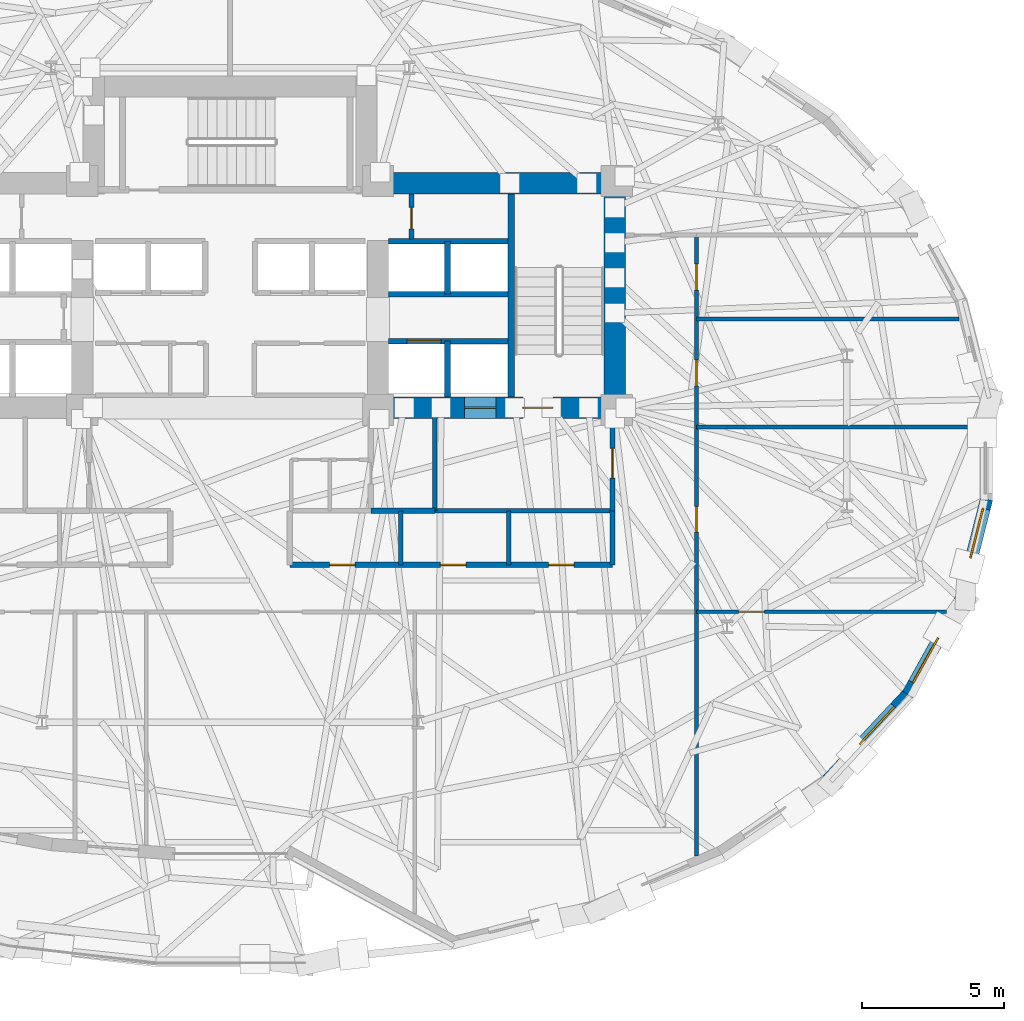
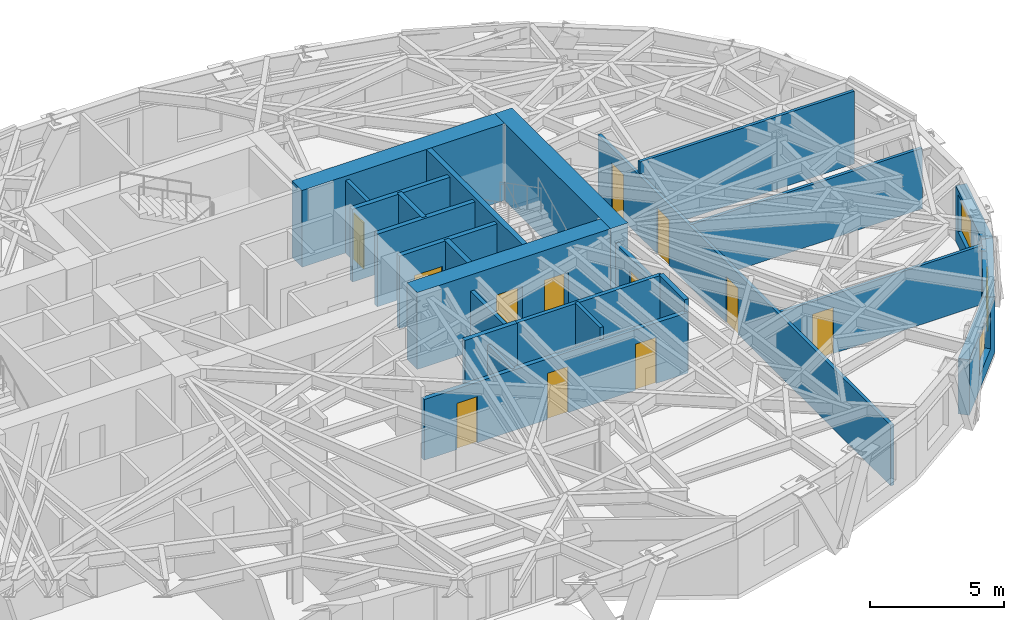
# One storey, part 10 of 15: 25 walls, 12 doors, 3 windows, 15 openings.
"""IFC4 building model written with IfcOpenShell, lengths in metres."""

from ifc_helpers import new_model, si_unit, direction, frame, frame_2d, origin, place, context, subcontext, project, spatial, rectangle, extrude, material, layer, layer_set, type_object, element, fill, save


model = new_model("IFC4")

# Units and contexts
model_context = context("Model", 3, precision=1e-05, world=origin(), true_north=direction((0.0, 1.0)))
body_context = subcontext(model_context, "Body", "Model", "MODEL_VIEW")
ifc_project = project(units=[si_unit("LENGTHUNIT", "METRE"), si_unit("AREAUNIT", "SQUARE_METRE"), si_unit("VOLUMEUNIT", "CUBIC_METRE"), si_unit("PLANEANGLEUNIT", "RADIAN"), si_unit("MASSUNIT", "GRAM", prefix="KILO")], contexts=[model_context])

# Site, building, storey
site_placement = place(None, origin())
site = spatial("IfcSite", under=ifc_project, at=site_placement, CompositionType="ELEMENT")
building_placement = place(site_placement, origin())
building = spatial("IfcBuilding", under=site, at=building_placement, Name="Keldmark Tower", CompositionType="ELEMENT")
storey_placement = place(building_placement, frame((0.0, 0.0, 114.10009765625)))
storey = spatial("IfcBuildingStorey", under=building, at=storey_placement, Name="L30", CompositionType="ELEMENT", Elevation=114.10009765625)

# Wall, openings, doors
ifc_material_1 = material(Name="Acoustic Double-Layer Gypsum Corridor Partition", Category="gypsum")
ifc_layer_1 = layer(ifc_material_1, 0.139892578125)
ifc_layer_set_1 = layer_set([ifc_layer_1], Name="Acoustic Double-Layer Gypsum Corridor Partition")
wall_type_1 = type_object("IfcWallType", Name="Acoustic Corridor Partition 140 mm", PredefinedType="PARTITIONING", material=ifc_layer_set_1)
wall_1_placement = place(storey_placement, frame((16.39990234375, -14.28369140625, 0.0), z_axis=(0.0, 0.0, 1.0), x_axis=(0.0, 1.0, 0.0)))
wall_1 = element("IfcWall", 1, at=wall_1_placement, inside=storey, type_object=wall_type_1, Name="L30 Acoustic Corridor Partition 140 mm COR-E", PredefinedType="PARTITIONING", context=body_context, shape_type="SweptSolid", body=[
    extrude(rectangle(XDim=21.833740234375, YDim=0.139892578125, at=frame_2d((10.9169921875, 0.0))), origin(), (0.0, 0.0, 1.0), 2.762939453125),
])
opening_1_placement = place(wall_1_placement, frame((11.38330078125, 0.0, 0.0)))
opening_1 = element("IfcOpeningElement", 2, at=opening_1_placement, cuts=wall_1, Name="Opening D-IN090", PredefinedType="OPENING", context=body_context, shape_type="SweptSolid", body=[
    extrude(rectangle(XDim=0.89990234375, YDim=2.10009765625, at=frame_2d((0.449951171875, 1.050048828125))), frame((0.0, 0.079833984375, 0.0), z_axis=(0.0, -1.0, 0.0), x_axis=(1.0, 0.0, 0.0)), (0.0, 0.0, 1.0), 0.159912109375),
])
opening_2_placement = place(wall_1_placement, frame((16.533447265625, 0.0, 0.0)))
opening_2 = element("IfcOpeningElement", 3, at=opening_2_placement, cuts=wall_1, Name="Opening D-IN090", PredefinedType="OPENING", context=body_context, shape_type="SweptSolid", body=[
    extrude(rectangle(XDim=0.89990234375, YDim=2.10009765625, at=frame_2d((0.449951171875, 1.050048828125))), frame((0.0, 0.079833984375, 0.0), z_axis=(0.0, -1.0, 0.0), x_axis=(1.0, 0.0, 0.0)), (0.0, 0.0, 1.0), 0.159912109375),
])
opening_3_placement = place(wall_1_placement, frame((19.908447265625, 0.0, 0.0)))
opening_3 = element("IfcOpeningElement", 4, at=opening_3_placement, cuts=wall_1, Name="Opening D-IN090", PredefinedType="OPENING", context=body_context, shape_type="SweptSolid", body=[
    extrude(rectangle(XDim=0.89990234375, YDim=2.10009765625, at=frame_2d((0.449951171875, 1.050048828125))), frame((0.0, 0.079833984375, 0.0), z_axis=(0.0, -1.0, 0.0), x_axis=(1.0, 0.0, 0.0)), (0.0, 0.0, 1.0), 0.159912109375),
])
ifc_material_2 = material(Name="Stained American White Oak Veneer", Category="wood")
door_type_1 = type_object("IfcDoorType", Name="Interior Door 900x2100", OperationType="NOTDEFINED", PredefinedType="DOOR", material=ifc_material_2)
door_1_placement = place(opening_1_placement, origin())
door_1 = element("IfcDoor", 5, at=door_1_placement, inside=storey, type_object=door_type_1, Name="L30 Interior Door 900x2100 D-ER-1-L30", OperationType="SINGLE_SWING_RIGHT", OverallHeight=2.10009765625, OverallWidth=0.89990234375, PredefinedType="DOOR", context=body_context, shape_type="SweptSolid", body=[
    extrude(rectangle(XDim=0.89990234375, YDim=2.10009765625, at=frame_2d((0.449951171875, 1.050048828125))), frame((0.0, 0.02490234375, 0.0), z_axis=(0.0, -1.0, 0.0), x_axis=(1.0, 0.0, 0.0)), (0.0, 0.0, 1.0), 0.050048828125),
])
fill(opening_1, door_1)
door_2_placement = place(opening_2_placement, origin())
door_2 = element("IfcDoor", 6, at=door_2_placement, inside=storey, type_object=door_type_1, Name="L30 Interior Door 900x2100 D-ER-2-L30", OperationType="SINGLE_SWING_LEFT", OverallHeight=2.10009765625, OverallWidth=0.89990234375, PredefinedType="DOOR", context=body_context, shape_type="SweptSolid", body=[
    extrude(rectangle(XDim=0.89990234375, YDim=2.10009765625, at=frame_2d((0.449951171875, 1.050048828125))), frame((0.0, 0.02490234375, 0.0), z_axis=(0.0, -1.0, 0.0), x_axis=(1.0, 0.0, 0.0)), (0.0, 0.0, 1.0), 0.050048828125),
])
fill(opening_2, door_2)
door_3_placement = place(opening_3_placement, origin())
door_3 = element("IfcDoor", 7, at=door_3_placement, inside=storey, type_object=door_type_1, Name="L30 Interior Door 900x2100 D-ER-3-L30", OperationType="SINGLE_SWING_RIGHT", OverallHeight=2.10009765625, OverallWidth=0.89990234375, PredefinedType="DOOR", context=body_context, shape_type="SweptSolid", body=[
    extrude(rectangle(XDim=0.89990234375, YDim=2.10009765625, at=frame_2d((0.449951171875, 1.050048828125))), frame((0.0, 0.02490234375, 0.0), z_axis=(0.0, -1.0, 0.0), x_axis=(1.0, 0.0, 0.0)), (0.0, 0.0, 1.0), 0.050048828125),
])
fill(opening_3, door_3)

ifc_material_3 = material(Name="Heavy Acoustic Plumbing Chase Gypsum Assembly", Category="gypsum")
ifc_layer_2 = layer(ifc_material_3, 0.18994140625)
ifc_layer_set_2 = layer_set([ifc_layer_2], Name="Heavy Acoustic Plumbing Chase Gypsum Assembly")
wall_type_2 = type_object("IfcWallType", Name="Heavy Wet Wall 190 mm", PredefinedType="PLUMBINGWALL", material=ifc_layer_set_2)
wall_2_placement = place(storey_placement, frame((2.10009765625, -4.050048828125, 0.0), z_axis=(0.0, 0.0, 1.0), x_axis=(1.0, 0.0, 0.0)))
wall_2 = element("IfcWall", 8, at=wall_2_placement, inside=storey, type_object=wall_type_2, Name="L30 Heavy Wet Wall 190 mm SPK-E-S", PredefinedType="PLUMBINGWALL", context=body_context, shape_type="SweptSolid", body=[
    extrude(rectangle(XDim=11.349853515625, YDim=0.18994140625, at=frame_2d((5.6748046875, 0.0))), origin(), (0.0, 0.0, 1.0), 2.762939453125),
])
opening_4_placement = place(wall_2_placement, frame((1.39990234375, 0.0, 0.0)))
opening_4 = element("IfcOpeningElement", 9, at=opening_4_placement, cuts=wall_2, Name="Opening D-IN090", PredefinedType="OPENING", context=body_context, shape_type="SweptSolid", body=[
    extrude(rectangle(XDim=0.89990234375, YDim=2.10009765625, at=frame_2d((0.449951171875, 1.050048828125))), frame((0.0, 0.10498046875, 0.0), z_axis=(0.0, -1.0, 0.0), x_axis=(1.0, 0.0, 0.0)), (0.0, 0.0, 1.0), 0.2099609375),
])
opening_5_placement = place(wall_2_placement, frame((5.300048828125, 0.0, 0.0)))
opening_5 = element("IfcOpeningElement", 10, at=opening_5_placement, cuts=wall_2, Name="Opening D-IN090", PredefinedType="OPENING", context=body_context, shape_type="SweptSolid", body=[
    extrude(rectangle(XDim=0.89990234375, YDim=2.10009765625, at=frame_2d((0.449951171875, 1.050048828125))), frame((0.0, 0.10498046875, 0.0), z_axis=(0.0, -1.0, 0.0), x_axis=(1.0, 0.0, 0.0)), (0.0, 0.0, 1.0), 0.2099609375),
])
opening_6_placement = place(wall_2_placement, frame((9.10009765625, 0.0, 0.0)))
opening_6 = element("IfcOpeningElement", 11, at=opening_6_placement, cuts=wall_2, Name="Opening D-IN090", PredefinedType="OPENING", context=body_context, shape_type="SweptSolid", body=[
    extrude(rectangle(XDim=0.89990234375, YDim=2.10009765625, at=frame_2d((0.449951171875, 1.050048828125))), frame((0.0, 0.10498046875, 0.0), z_axis=(0.0, -1.0, 0.0), x_axis=(1.0, 0.0, 0.0)), (0.0, 0.0, 1.0), 0.2099609375),
])
door_4_placement = place(opening_4_placement, origin())
door_4 = element("IfcDoor", 12, at=door_4_placement, inside=storey, type_object=door_type_1, Name="L30 Interior Door 900x2100 D-SPKE1-L30", OperationType="SINGLE_SWING_RIGHT", OverallHeight=2.10009765625, OverallWidth=0.89990234375, PredefinedType="DOOR", context=body_context, shape_type="SweptSolid", body=[
    extrude(rectangle(XDim=0.89990234375, YDim=2.10009765625, at=frame_2d((0.449951171875, 1.050048828125))), frame((0.0, 0.02490234375, 0.0), z_axis=(0.0, -1.0, 0.0), x_axis=(1.0, 0.0, 0.0)), (0.0, 0.0, 1.0), 0.050048828125),
])
fill(opening_4, door_4)
door_5_placement = place(opening_5_placement, origin())
door_5 = element("IfcDoor", 13, at=door_5_placement, inside=storey, type_object=door_type_1, Name="L30 Interior Door 900x2100 D-SPKE2-L30", OperationType="SINGLE_SWING_LEFT", OverallHeight=2.10009765625, OverallWidth=0.89990234375, PredefinedType="DOOR", context=body_context, shape_type="SweptSolid", body=[
    extrude(rectangle(XDim=0.89990234375, YDim=2.10009765625, at=frame_2d((0.449951171875, 1.050048828125))), frame((0.0, 0.02490234375, 0.0), z_axis=(0.0, -1.0, 0.0), x_axis=(1.0, 0.0, 0.0)), (0.0, 0.0, 1.0), 0.050048828125),
])
fill(opening_5, door_5)
door_6_placement = place(opening_6_placement, origin())
door_6 = element("IfcDoor", 14, at=door_6_placement, inside=storey, type_object=door_type_1, Name="L30 Interior Door 900x2100 D-SPKE3-L30", OperationType="SINGLE_SWING_RIGHT", OverallHeight=2.10009765625, OverallWidth=0.89990234375, PredefinedType="DOOR", context=body_context, shape_type="SweptSolid", body=[
    extrude(rectangle(XDim=0.89990234375, YDim=2.10009765625, at=frame_2d((0.449951171875, 1.050048828125))), frame((0.0, 0.02490234375, 0.0), z_axis=(0.0, -1.0, 0.0), x_axis=(1.0, 0.0, 0.0)), (0.0, 0.0, 1.0), 0.050048828125),
])
fill(opening_6, door_6)

# Wall
wall_3_placement = place(storey_placement, frame((13.449951171875, -4.050048828125, 0.0), z_axis=(0.0, 0.0, 1.0), x_axis=(0.0, 1.0, 0.0)))
element("IfcWall", 15, at=wall_3_placement, inside=storey, type_object=wall_type_2, Name="L30 Heavy Wet Wall 190 mm SPK-E-E", PredefinedType="PLUMBINGWALL", context=body_context, shape_type="SweptSolid", body=[
    extrude(rectangle(XDim=1.900146484375, YDim=0.18994140625, at=frame_2d((0.9501953125, 0.0))), origin(), (0.0, 0.0, 1.0), 3.309814453125),
])

# Wall, opening, door
ifc_material_4 = material(Name="Acoustic Gypsum Board Interior Partition", Category="gypsum")
ifc_layer_3 = layer(ifc_material_4, 0.1298828125)
ifc_layer_set_3 = layer_set([ifc_layer_3], Name="Acoustic Gypsum Board Interior Partition")
wall_type_3 = type_object("IfcWallType", Name="Interior Partition 130 mm", PredefinedType="PARTITIONING", material=ifc_layer_set_3)
wall_4_placement = place(storey_placement, frame((16.39990234375, -5.699951171875, 0.0), z_axis=(0.0, 0.0, 1.0), x_axis=(1.0, 0.0, 0.0)))
wall_4 = element("IfcWall", 16, at=wall_4_placement, inside=storey, type_object=wall_type_3, Name="L30 Interior Partition 130 mm E-CAP-S", PredefinedType="PARTITIONING", context=body_context, shape_type="SweptSolid", body=[
    extrude(rectangle(XDim=8.799072265625, YDim=0.1298828125, at=frame_2d((4.3994140625, 0.0))), origin(), (0.0, 0.0, 1.0), 2.68798828125),
])
opening_7_placement = place(wall_4_placement, frame((1.489990234375, 0.0, 0.0)))
opening_7 = element("IfcOpeningElement", 17, at=opening_7_placement, cuts=wall_4, Name="Opening D-IN090", PredefinedType="OPENING", context=body_context, shape_type="SweptSolid", body=[
    extrude(rectangle(XDim=0.89990234375, YDim=2.10009765625, at=frame_2d((0.449951171875, 1.050048828125))), frame((0.0, 0.074951171875, 0.0), z_axis=(0.0, -1.0, 0.0), x_axis=(1.0, 0.0, 0.0)), (0.0, 0.0, 1.0), 0.14990234375),
])
door_7_placement = place(opening_7_placement, origin())
door_7 = element("IfcDoor", 18, at=door_7_placement, inside=storey, type_object=door_type_1, Name="L30 Interior Door 900x2100 D-ERSE-L30", OperationType="SINGLE_SWING_RIGHT", OverallHeight=2.10009765625, OverallWidth=0.89990234375, PredefinedType="DOOR", context=body_context, shape_type="SweptSolid", body=[
    extrude(rectangle(XDim=0.89990234375, YDim=2.10009765625, at=frame_2d((0.449951171875, 1.050048828125))), frame((0.0, 0.02490234375, 0.0), z_axis=(0.0, -1.0, 0.0), x_axis=(1.0, 0.0, 0.0)), (0.0, 0.0, 1.0), 0.050048828125),
])
fill(opening_7, door_7)

# Walls
wall_5_placement = place(storey_placement, frame((16.39990234375, 0.800048828125, 0.0), z_axis=(0.0, 0.0, 1.0), x_axis=(1.0, 0.0, 0.0)))
element("IfcWall", 19, at=wall_5_placement, inside=storey, type_object=wall_type_3, Name="L30 Interior Partition 130 mm E-DIV-1", PredefinedType="PARTITIONING", context=body_context, shape_type="SweptSolid", body=[
    extrude(rectangle(XDim=9.972412109375, YDim=0.1298828125, at=frame_2d((4.986328125, 0.0))), origin(), (0.0, 0.0, 1.0), 2.762939453125),
])
wall_6_placement = place(storey_placement, frame((16.39990234375, 4.60009765625, 0.0), z_axis=(0.0, 0.0, 1.0), x_axis=(1.0, 0.0, 0.0)))
element("IfcWall", 20, at=wall_6_placement, inside=storey, type_object=wall_type_3, Name="L30 Interior Partition 130 mm E-DIV-2", PredefinedType="PARTITIONING", context=body_context, shape_type="SweptSolid", body=[
    extrude(rectangle(XDim=9.241455078125, YDim=0.1298828125, at=frame_2d((4.62060546875, 0.0))), origin(), (0.0, 0.0, 1.0), 3.309814453125),
])
ifc_material_5 = material(Name="Concrete C70/85", Category="concrete")
ifc_layer_4 = layer(ifc_material_5, 0.75)
ifc_layer_set_4 = layer_set([ifc_layer_4], Name="Concrete C70/85")
wall_type_4 = type_object("IfcWallType", Name="Low-Mid Core Shear Wall 750 mm", PredefinedType="SHEAR", material=ifc_layer_set_4)
wall_7_placement = place(storey_placement, frame((13.52490234375, 1.10009765625, 0.0), z_axis=(0.0, 0.0, 1.0), x_axis=(0.0, 1.0, 0.0)))
element("IfcWall", 21, at=wall_7_placement, inside=storey, type_object=wall_type_4, Name="L30 East Core Outer Shear Wall", PredefinedType="SHEAR", context=body_context, shape_type="SweptSolid", body=[
    extrude(rectangle(XDim=8.64990234375, YDim=0.75, at=frame_2d((4.324951171875, 0.0))), origin(), (0.0, 0.0, 1.0), 3.5),
])
wall_8_placement = place(storey_placement, frame((4.425048828125, 9.375, 0.0), z_axis=(0.0, 0.0, 1.0), x_axis=(1.0, 0.0, 0.0)))
element("IfcWall", 22, at=wall_8_placement, inside=storey, type_object=wall_type_4, Name="L30 East Core North Shear Wall", PredefinedType="SHEAR", context=body_context, shape_type="SweptSolid", body=[
    extrude(rectangle(XDim=9.474853515625, YDim=0.75, at=frame_2d((4.7373046875, 0.0))), origin(), (0.0, 0.0, 1.0), 3.5),
])

# Wall, openings, doors
wall_9_placement = place(storey_placement, frame((13.89990234375, 1.47509765625, 0.0), z_axis=(0.0, 0.0, 1.0), x_axis=(-1.0, 0.0, 0.0)))
wall_9 = element("IfcWall", 23, at=wall_9_placement, inside=storey, type_object=wall_type_4, Name="L30 East Core South Shear Wall", PredefinedType="SHEAR", context=body_context, shape_type="SweptSolid", body=[
    extrude(rectangle(XDim=9.074951171875, YDim=0.75, at=frame_2d((4.53759765625, 0.0))), origin(), (0.0, 0.0, 1.0), 3.5),
])
opening_8_placement = place(wall_9_placement, frame((2.550048828125, 0.0, 0.0)))
opening_8 = element("IfcOpeningElement", 24, at=opening_8_placement, cuts=wall_9, Name="Opening D-ST105", PredefinedType="OPENING", context=body_context, shape_type="SweptSolid", body=[
    extrude(rectangle(XDim=1.050048828125, YDim=2.14990234375, at=frame_2d((0.52490234375, 1.074951171875))), frame((0.0, 0.385009765625, 0.0), z_axis=(0.0, -1.0, 0.0), x_axis=(1.0, 0.0, 0.0)), (0.0, 0.0, 1.0), 0.77001953125),
])
opening_9_placement = place(wall_9_placement, frame((4.550048828125, 0.0, 0.0)))
opening_9 = element("IfcOpeningElement", 25, at=opening_9_placement, cuts=wall_9, Name="Opening LD-110", PredefinedType="OPENING", context=body_context, shape_type="SweptSolid", body=[
    extrude(rectangle(XDim=1.10009765625, YDim=2.199951171875, at=frame_2d((0.550048828125, 1.10009765625))), frame((0.0, 0.385009765625, 0.0), z_axis=(0.0, -1.0, 0.0), x_axis=(1.0, 0.0, 0.0)), (0.0, 0.0, 1.0), 0.77001953125),
])
ifc_material_6 = material(Name="Brushed Bronze Hoistway Sliding Leaf", Category="metal")
door_type_2 = type_object("IfcDoorType", Name="Lift Landing Sliding Door 1100x2200", OperationType="SLIDING_TO_LEFT", PredefinedType="DOOR", material=ifc_material_6)
door_8_placement = place(opening_9_placement, origin())
door_8 = element("IfcDoor", 26, at=door_8_placement, inside=storey, type_object=door_type_2, Name="L30 Lift Landing Sliding Door 1100x2200 LD-EL-FS2-L30", OperationType="SLIDING_TO_LEFT", OverallHeight=2.199951171875, OverallWidth=1.10009765625, PredefinedType="DOOR", context=body_context, shape_type="SweptSolid", body=[
    extrude(rectangle(XDim=1.10009765625, YDim=2.199951171875, at=frame_2d((0.550048828125, 1.10009765625))), frame((0.0, 0.02490234375, 0.0), z_axis=(0.0, -1.0, 0.0), x_axis=(1.0, 0.0, 0.0)), (0.0, 0.0, 1.0), 0.050048828125),
])
fill(opening_9, door_8)
ifc_material_7 = material(Name="Hollow Metal Fire-Rated Door Assembly", Category="metal")
door_type_3 = type_object("IfcDoorType", Name="Stair Fire Door 1050x2150", OperationType="NOTDEFINED", PredefinedType="DOOR", material=ifc_material_7)
door_9_placement = place(opening_8_placement, origin())
door_9 = element("IfcDoor", 27, at=door_9_placement, inside=storey, type_object=door_type_3, Name="L30 Stair Fire Door 1050x2150 D-ST2-L30", OperationType="SINGLE_SWING_LEFT", OverallHeight=2.14990234375, OverallWidth=1.050048828125, PredefinedType="DOOR", context=body_context, shape_type="SweptSolid", body=[
    extrude(rectangle(XDim=1.050048828125, YDim=2.14990234375, at=frame_2d((0.52490234375, 1.074951171875))), frame((0.0, 0.02490234375, 0.0), z_axis=(0.0, -1.0, 0.0), x_axis=(1.0, 0.0, 0.0)), (0.0, 0.0, 1.0), 0.050048828125),
])
fill(opening_8, door_9)

# Walls
ifc_material_8 = material(Name="Type X Fire-Rated Gypsum Partition Assembly", Category="gypsum")
ifc_layer_5 = layer(ifc_material_8, 0.1650390625)
ifc_layer_set_5 = layer_set([ifc_layer_5], Name="Type X Fire-Rated Gypsum Partition Assembly")
wall_type_5 = type_object("IfcWallType", Name="Rated Partition 165 mm", PredefinedType="PARTITIONING", material=ifc_layer_set_5)
wall_10_placement = place(storey_placement, frame((7.199951171875, -2.14990234375, 0.0), z_axis=(0.0, 0.0, 1.0), x_axis=(1.0, 0.0, 0.0)))
element("IfcWall", 28, at=wall_10_placement, inside=storey, type_object=wall_type_5, Name="L30 Rated Partition 165 mm FSAE-E-S", PredefinedType="PARTITIONING", context=body_context, shape_type="SweptSolid", body=[
    extrude(rectangle(XDim=6.25, YDim=0.1650390625, at=frame_2d((3.125, 0.0))), origin(), (0.0, 0.0, 1.0), 3.309814453125),
])
wall_11_placement = place(storey_placement, frame((7.199951171875, -2.14990234375, 0.0), z_axis=(0.0, 0.0, 1.0), x_axis=(0.0, 1.0, 0.0)))
element("IfcWall", 29, at=wall_11_placement, inside=storey, type_object=wall_type_5, Name="L30 Rated Partition 165 mm FSAE-E-W", PredefinedType="PARTITIONING", context=body_context, shape_type="SweptSolid", body=[
    extrude(rectangle(XDim=3.2998046875, YDim=0.1650390625, at=frame_2d((1.64990234375, 0.0))), origin(), (0.0, 0.0, 1.0), 2.762939453125),
])

# Wall, opening, door
wall_12_placement = place(storey_placement, frame((13.449951171875, -2.14990234375, 0.0), z_axis=(0.0, 0.0, 1.0), x_axis=(0.0, 1.0, 0.0)))
wall_12 = element("IfcWall", 30, at=wall_12_placement, inside=storey, type_object=wall_type_5, Name="L30 Rated Partition 165 mm FSAE-E-E", PredefinedType="PARTITIONING", context=body_context, shape_type="SweptSolid", body=[
    extrude(rectangle(XDim=3.2998046875, YDim=0.1650390625, at=frame_2d((1.64990234375, 0.0))), origin(), (0.0, 0.0, 1.0), 2.762939453125),
])
opening_10_placement = place(wall_12_placement, frame((1.14990234375, 0.0, 0.0)))
opening_10 = element("IfcOpeningElement", 31, at=opening_10_placement, cuts=wall_12, Name="Opening D-FL105", PredefinedType="OPENING", context=body_context, shape_type="SweptSolid", body=[
    extrude(rectangle(XDim=1.050048828125, YDim=2.14990234375, at=frame_2d((0.52490234375, 1.074951171875))), frame((0.0, 0.092529296875, 0.0), z_axis=(0.0, -1.0, 0.0), x_axis=(1.0, 0.0, 0.0)), (0.0, 0.0, 1.0), 0.18505859375),
])
ifc_material_9 = material(Name="Fire-Rated Mineral-Core Door and Vision Lite", Category="metal")
door_type_4 = type_object("IfcDoorType", Name="Fire Lobby Door 1050x2150", OperationType="NOTDEFINED", PredefinedType="DOOR", material=ifc_material_9)
door_10_placement = place(opening_10_placement, origin())
door_10 = element("IfcDoor", 32, at=door_10_placement, inside=storey, type_object=door_type_4, Name="L30 Fire Lobby Door 1050x2150 D-FSAEE-OUT-L30", OperationType="SINGLE_SWING_LEFT", OverallHeight=2.14990234375, OverallWidth=1.050048828125, PredefinedType="DOOR", context=body_context, shape_type="SweptSolid", body=[
    extrude(rectangle(XDim=1.050048828125, YDim=2.14990234375, at=frame_2d((0.52490234375, 1.074951171875))), frame((0.0, 0.02490234375, 0.0), z_axis=(0.0, -1.0, 0.0), x_axis=(1.0, 0.0, 0.0)), (0.0, 0.0, 1.0), 0.050048828125),
])
fill(opening_10, door_10)

wall_13_placement = place(storey_placement, frame((6.3798828125, 7.419921875, 0.0), z_axis=(0.0, 0.0, 1.0), x_axis=(0.0, 1.0, 0.0)))
wall_13 = element("IfcWall", 33, at=wall_13_placement, inside=storey, type_object=wall_type_5, Name="L30 Rated Partition 165 mm CS-NE-W", PredefinedType="PARTITIONING", context=body_context, shape_type="SweptSolid", body=[
    extrude(rectangle(XDim=1.580078125, YDim=0.1650390625, at=frame_2d((0.7900390625, 0.0))), origin(), (0.0, 0.0, 1.0), 3.309814453125),
])
opening_11_placement = place(wall_13_placement, frame((0.35009765625, 0.0, 0.0)))
opening_11 = element("IfcOpeningElement", 34, at=opening_11_placement, cuts=wall_13, Name="Opening D-RS075", PredefinedType="OPENING", context=body_context, shape_type="SweptSolid", body=[
    extrude(rectangle(XDim=0.75, YDim=2.10009765625, at=frame_2d((0.375, 1.050048828125))), frame((0.0, 0.092529296875, 0.0), z_axis=(0.0, -1.0, 0.0), x_axis=(1.0, 0.0, 0.0)), (0.0, 0.0, 1.0), 0.18505859375),
])
ifc_material_10 = material(Name="Galvanized Fire-Rated Access Leaf", Category="metal")
door_type_5 = type_object("IfcDoorType", Name="Riser Access Door 750x2100", OperationType="NOTDEFINED", PredefinedType="DOOR", material=ifc_material_10)
door_11_placement = place(opening_11_placement, origin())
door_11 = element("IfcDoor", 35, at=door_11_placement, inside=storey, type_object=door_type_5, Name="L30 Riser Access Door 750x2100 D-CSNE1-L30", OperationType="SINGLE_SWING_LEFT", OverallHeight=2.10009765625, OverallWidth=0.75, PredefinedType="DOOR", context=body_context, shape_type="SweptSolid", body=[
    extrude(rectangle(XDim=0.75, YDim=2.10009765625, at=frame_2d((0.375, 1.050048828125))), frame((0.0, 0.02490234375, 0.0), z_axis=(0.0, -1.0, 0.0), x_axis=(1.0, 0.0, 0.0)), (0.0, 0.0, 1.0), 0.050048828125),
])
fill(opening_11, door_11)

# Wall
ifc_material_11 = material(Name="Fire-Resistant Type X Gypsum Shaftliner Coreboard", Category="gypsum")
ifc_layer_6 = layer(ifc_material_11, 0.199951171875)
ifc_layer_set_6 = layer_set([ifc_layer_6], Name="Fire-Resistant Type X Gypsum Shaftliner Coreboard")
wall_type_6 = type_object("IfcWallType", Name="Shaft Wall 200 mm", PredefinedType="SOLIDWALL", material=ifc_layer_set_6)
wall_14_placement = place(storey_placement, frame((4.949951171875, -2.14990234375, 0.0), z_axis=(0.0, 0.0, 1.0), x_axis=(1.0, 0.0, 0.0)))
element("IfcWall", 36, at=wall_14_placement, inside=storey, type_object=wall_type_6, Name="L30 Shaft Wall 200 mm RIS-SE-S", PredefinedType="SOLIDWALL", context=body_context, shape_type="SweptSolid", body=[
    extrude(rectangle(XDim=2.25, YDim=0.199951171875, at=frame_2d((1.125, 0.0))), origin(), (0.0, 0.0, 1.0), 3.309814453125),
])

# Wall, opening, door
wall_15_placement = place(storey_placement, frame((5.574951171875, 3.820068359375, 0.0), z_axis=(0.0, 0.0, 1.0), x_axis=(1.0, 0.0, 0.0)))
wall_15 = element("IfcWall", 37, at=wall_15_placement, inside=storey, type_object=wall_type_6, Name="L30 Shaft Wall 200 mm HW-E-S", PredefinedType="SOLIDWALL", context=body_context, shape_type="SweptSolid", body=[
    extrude(rectangle(XDim=4.205078125, YDim=0.199951171875, at=frame_2d((2.1025390625, 0.0))), origin(), (0.0, 0.0, 1.0), 3.309814453125),
])
opening_12_placement = place(wall_15_placement, frame((0.64990234375, 0.0, 0.0)))
opening_12 = element("IfcOpeningElement", 38, at=opening_12_placement, cuts=wall_15, Name="Opening LD-120", PredefinedType="OPENING", context=body_context, shape_type="SweptSolid", body=[
    extrude(rectangle(XDim=1.199951171875, YDim=2.199951171875, at=frame_2d((0.60009765625, 1.10009765625))), frame((0.0, 0.10986328125, 0.0), z_axis=(0.0, -1.0, 0.0), x_axis=(1.0, 0.0, 0.0)), (0.0, 0.0, 1.0), 0.219970703125),
])
ifc_material_12 = material(Name="Heavy-Duty Brushed Metal Hoistway Sliding Leaf", Category="metal")
door_type_6 = type_object("IfcDoorType", Name="Service Lift Sliding Door 1200x2200", OperationType="SLIDING_TO_RIGHT", PredefinedType="DOOR", material=ifc_material_12)
door_12_placement = place(opening_12_placement, origin())
door_12 = element("IfcDoor", 39, at=door_12_placement, inside=storey, type_object=door_type_6, Name="L30 Service Lift Sliding Door 1200x2200 LD-EL-SV1-L30", OperationType="SLIDING_TO_RIGHT", OverallHeight=2.199951171875, OverallWidth=1.199951171875, PredefinedType="DOOR", context=body_context, shape_type="SweptSolid", body=[
    extrude(rectangle(XDim=1.199951171875, YDim=2.199951171875, at=frame_2d((0.60009765625, 1.10009765625))), frame((0.0, 0.02490234375, 0.0), z_axis=(0.0, -1.0, 0.0), x_axis=(1.0, 0.0, 0.0)), (0.0, 0.0, 1.0), 0.050048828125),
])
fill(opening_12, door_12)

# Walls
wall_16_placement = place(storey_placement, frame((7.64990234375, 1.85009765625, 0.0), z_axis=(0.0, 0.0, 1.0), x_axis=(0.0, 1.0, 0.0)))
element("IfcWall", 40, at=wall_16_placement, inside=storey, type_object=wall_type_6, Name="L30 Shaft Wall 200 mm HW-E-M", PredefinedType="SOLIDWALL", context=body_context, shape_type="SweptSolid", body=[
    extrude(rectangle(XDim=1.969970703125, YDim=0.199951171875, at=frame_2d((0.98486328125, 0.0))), origin(), (0.0, 0.0, 1.0), 3.309814453125),
])
for number, where, z_axis, x_axis, name in (
    (41, (5.574951171875, 5.469970703125, 0.0), (0.0, 0.0, 1.0), (1.0, 0.0, 0.0), "L30 Shaft Wall 200 mm HW-E-N"),
    (42, (5.574951171875, 7.330078125, 0.0), (0.0, 0.0, 1.0), (1.0, 0.0, 0.0), "L30 Shaft Wall 200 mm HW-E-TOP"),
):
    element("IfcWall", number, at=place(storey_placement, frame(where, z_axis=z_axis, x_axis=x_axis)), inside=storey, type_object=wall_type_6, Name=name, PredefinedType="SOLIDWALL", context=body_context, shape_type="SweptSolid", body=[
        extrude(rectangle(XDim=4.205078125, YDim=0.199951171875, at=frame_2d((2.1025390625, 0.0))), origin(), (0.0, 0.0, 1.0), 3.309814453125),
    ])
wall_17_placement = place(storey_placement, frame((7.64990234375, 5.469970703125, 0.0), z_axis=(0.0, 0.0, 1.0), x_axis=(0.0, 1.0, 0.0)))
element("IfcWall", 43, at=wall_17_placement, inside=storey, type_object=wall_type_6, Name="L30 Shaft Wall 200 mm HW-E-NM", PredefinedType="SOLIDWALL", context=body_context, shape_type="SweptSolid", body=[
    extrude(rectangle(XDim=1.860107421875, YDim=0.199951171875, at=frame_2d((0.93017578125, 0.0))), origin(), (0.0, 0.0, 1.0), 3.309814453125),
])
ifc_material_13 = material(Name="Concrete C50/60", Category="concrete")
ifc_layer_7 = layer(ifc_material_13, 0.219970703125)
ifc_layer_set_7 = layer_set([ifc_layer_7], Name="Concrete C50/60")
wall_type_7 = type_object("IfcWallType", Name="Stair Core Shear Wall 220 mm", PredefinedType="SHEAR", material=ifc_layer_set_7)
wall_18_placement = place(storey_placement, frame((9.889892578125, 1.85009765625, 0.0), z_axis=(0.0, 0.0, 1.0), x_axis=(0.0, 1.0, 0.0)))
element("IfcWall", 44, at=wall_18_placement, inside=storey, type_object=wall_type_7, Name="L30 East Stair Core Shear Wall", PredefinedType="SHEAR", context=body_context, shape_type="SweptSolid", body=[
    extrude(rectangle(XDim=7.14990234375, YDim=0.219970703125, at=frame_2d((3.574951171875, 0.0))), origin(), (0.0, 0.0, 1.0), 3.5),
])

# Wall, opening, window
ifc_material_14 = material(Name="Ironspot Manganese Brick and Kasota Buff Limestone Spandrel Assembly", Category="masonry")
ifc_layer_8 = layer(ifc_material_14, 0.43994140625)
ifc_layer_set_8 = layer_set([ifc_layer_8], Name="Ironspot Manganese Brick and Kasota Buff Limestone Spandrel Assembly")
wall_type_8 = type_object("IfcWallType", Name="Tower Brick Pier and Spandrel Wall 440 mm", PredefinedType="STANDARD", material=ifc_layer_set_8)
wall_19_placement = place(storey_placement, frame((23.87548828125, -8.559814453125, 0.0), z_axis=(0.0, 0.0, 1.0), x_axis=(-0.682353469166, -0.73102239577, 0.0)))
wall_19 = element("IfcWall", 45, at=wall_19_placement, inside=storey, type_object=wall_type_8, Name="L30 Exterior Brick and Spandrel Wall 29", PredefinedType="STANDARD", context=body_context, shape_type="SweptSolid", body=[
    extrude(rectangle(XDim=4.19873046875, YDim=0.43994140625, at=frame_2d((2.099365234375, 0.0))), origin(), (0.0, 0.0, 1.0), 2.52783203125),
])
opening_13_placement = place(wall_19_placement, frame((0.69970703125, 0.0, 0.64990234375)))
opening_13 = element("IfcOpeningElement", 46, at=opening_13_placement, cuts=wall_19, Name="Opening W-02", PredefinedType="OPENING", context=body_context, shape_type="SweptSolid", body=[
    extrude(rectangle(XDim=1.800048828125, YDim=1.699951171875, at=frame_2d((0.89990234375, 0.85009765625))), frame((0.0, 0.22998046875, 0.0), z_axis=(0.0, -1.0, 0.0), x_axis=(1.0, 0.0, 0.0)), (0.0, 0.0, 1.0), 0.4599609375),
])
ifc_material_15 = material(Name="Thermally Broken Anodized Aluminum and Triple Low-E Argon Glazing", Category="aluminium")
window_type = type_object("IfcWindowType", Name="Office Deep-Set Triple Window 1800x1700", PartitioningType="TRIPLE_PANEL_VERTICAL", PredefinedType="WINDOW", material=ifc_material_15)
window_1_placement = place(opening_13_placement, origin())
window_1 = element("IfcWindow", 47, at=window_1_placement, inside=storey, type_object=window_type, Name="L30 Deep-Set Window 29", OverallHeight=1.699951171875, OverallWidth=1.800048828125, PartitioningType="SINGLE_PANEL", PredefinedType="WINDOW", context=body_context, shape_type="SweptSolid", body=[
    extrude(rectangle(XDim=1.800048828125, YDim=1.699951171875, at=frame_2d((0.89990234375, 0.85009765625))), frame((0.0, -0.010009765625, 0.0), z_axis=(0.0, -1.0, 0.0), x_axis=(1.0, 0.0, 0.0)), (0.0, 0.0, 1.0), 0.06005859375),
])
fill(opening_13, window_1)

wall_20_placement = place(storey_placement, frame((25.725341796875, -5.222900390625, 0.0), z_axis=(0.0, 0.0, 1.0), x_axis=(-0.486285838125, -0.873799796086, 0.0)))
wall_20 = element("IfcWall", 48, at=wall_20_placement, inside=storey, type_object=wall_type_8, Name="L30 Exterior Brick and Spandrel Wall 30", PredefinedType="STANDARD", context=body_context, shape_type="SweptSolid", body=[
    extrude(rectangle(XDim=3.868408203125, YDim=0.43994140625, at=frame_2d((1.93408203125, 0.0))), origin(), (0.0, 0.0, 1.0), 2.52783203125),
])
opening_14_placement = place(wall_20_placement, frame((1.622802734375, 0.0, 0.64990234375)))
opening_14 = element("IfcOpeningElement", 49, at=opening_14_placement, cuts=wall_20, Name="Opening W-02", PredefinedType="OPENING", context=body_context, shape_type="SweptSolid", body=[
    extrude(rectangle(XDim=1.800048828125, YDim=1.699951171875, at=frame_2d((0.89990234375, 0.85009765625))), frame((0.0, 0.22998046875, 0.0), z_axis=(0.0, -1.0, 0.0), x_axis=(1.0, 0.0, 0.0)), (0.0, 0.0, 1.0), 0.4599609375),
])
window_2_placement = place(opening_14_placement, origin())
window_2 = element("IfcWindow", 50, at=window_2_placement, inside=storey, type_object=window_type, Name="L30 Deep-Set Window 30", OverallHeight=1.699951171875, OverallWidth=1.800048828125, PartitioningType="SINGLE_PANEL", PredefinedType="WINDOW", context=body_context, shape_type="SweptSolid", body=[
    extrude(rectangle(XDim=1.800048828125, YDim=1.699951171875, at=frame_2d((0.89990234375, 0.85009765625))), frame((0.0, -0.010009765625, 0.0), z_axis=(0.0, -1.0, 0.0), x_axis=(1.0, 0.0, 0.0)), (0.0, 0.0, 1.0), 0.06005859375),
])
fill(opening_14, window_2)

wall_21_placement = place(storey_placement, frame((26.607177734375, -1.736328125, 0.0), z_axis=(0.0, 0.0, 1.0), x_axis=(-0.247172296022, -0.968971545547, 0.0)))
wall_21 = element("IfcWall", 51, at=wall_21_placement, inside=storey, type_object=wall_type_8, Name="L30 Exterior Brick and Spandrel Wall 31", PredefinedType="STANDARD", context=body_context, shape_type="SweptSolid", body=[
    extrude(rectangle(XDim=3.652587890625, YDim=0.43994140625, at=frame_2d((1.826171875, 0.0))), origin(), (0.0, 0.0, 1.0), 2.52783203125),
])
opening_15_placement = place(wall_21_placement, frame((0.34521484375, 0.0, 0.64990234375)))
opening_15 = element("IfcOpeningElement", 52, at=opening_15_placement, cuts=wall_21, Name="Opening W-02", PredefinedType="OPENING", context=body_context, shape_type="SweptSolid", body=[
    extrude(rectangle(XDim=1.800048828125, YDim=1.699951171875, at=frame_2d((0.89990234375, 0.85009765625))), frame((0.0, 0.22998046875, 0.0), z_axis=(0.0, -1.0, 0.0), x_axis=(1.0, 0.0, 0.0)), (0.0, 0.0, 1.0), 0.4599609375),
])
window_3_placement = place(opening_15_placement, origin())
window_3 = element("IfcWindow", 53, at=window_3_placement, inside=storey, type_object=window_type, Name="L30 Deep-Set Window 31", OverallHeight=1.699951171875, OverallWidth=1.800048828125, PartitioningType="SINGLE_PANEL", PredefinedType="WINDOW", context=body_context, shape_type="SweptSolid", body=[
    extrude(rectangle(XDim=1.800048828125, YDim=1.699951171875, at=frame_2d((0.89990234375, 0.85009765625))), frame((0.0, -0.010009765625, 0.0), z_axis=(0.0, -1.0, 0.0), x_axis=(1.0, 0.0, 0.0)), (0.0, 0.0, 1.0), 0.06005859375),
])
fill(opening_15, window_3)

# Walls
ifc_material_16 = material(Name="Moisture-Resistant Gypsum Plumbing Partition", Category="gypsum")
ifc_layer_9 = layer(ifc_material_16, 0.14990234375)
ifc_layer_set_9 = layer_set([ifc_layer_9], Name="Moisture-Resistant Gypsum Plumbing Partition")
wall_type_9 = type_object("IfcWallType", Name="Wet Wall 150 mm", PredefinedType="PLUMBINGWALL", material=ifc_layer_set_9)
wall_22_placement = place(storey_placement, frame((6.0, -4.050048828125, 0.0), z_axis=(0.0, 0.0, 1.0), x_axis=(0.0, 1.0, 0.0)))
element("IfcWall", 54, at=wall_22_placement, inside=storey, type_object=wall_type_9, Name="L30 Wet Wall 150 mm SPK-E-D1", PredefinedType="PLUMBINGWALL", context=body_context, shape_type="SweptSolid", body=[
    extrude(rectangle(XDim=1.900146484375, YDim=0.14990234375, at=frame_2d((0.9501953125, 0.0))), origin(), (0.0, 0.0, 1.0), 2.762939453125),
])
wall_23_placement = place(storey_placement, frame((9.800048828125, -4.050048828125, 0.0), z_axis=(0.0, 0.0, 1.0), x_axis=(0.0, 1.0, 0.0)))
element("IfcWall", 55, at=wall_23_placement, inside=storey, type_object=wall_type_9, Name="L30 Wet Wall 150 mm SPK-E-D2", PredefinedType="PLUMBINGWALL", context=body_context, shape_type="SweptSolid", body=[
    extrude(rectangle(XDim=1.900146484375, YDim=0.14990234375, at=frame_2d((0.9501953125, 0.0))), origin(), (0.0, 0.0, 1.0), 3.309814453125),
])

save(model, "model.ifc")
